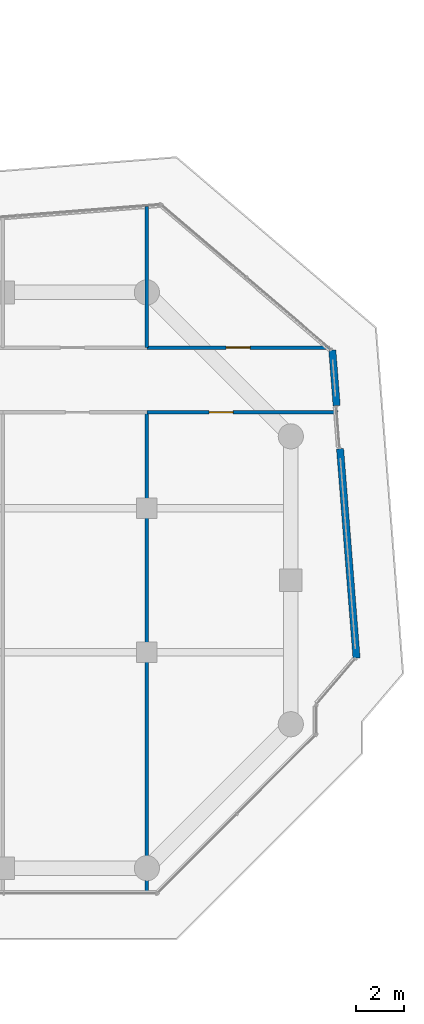
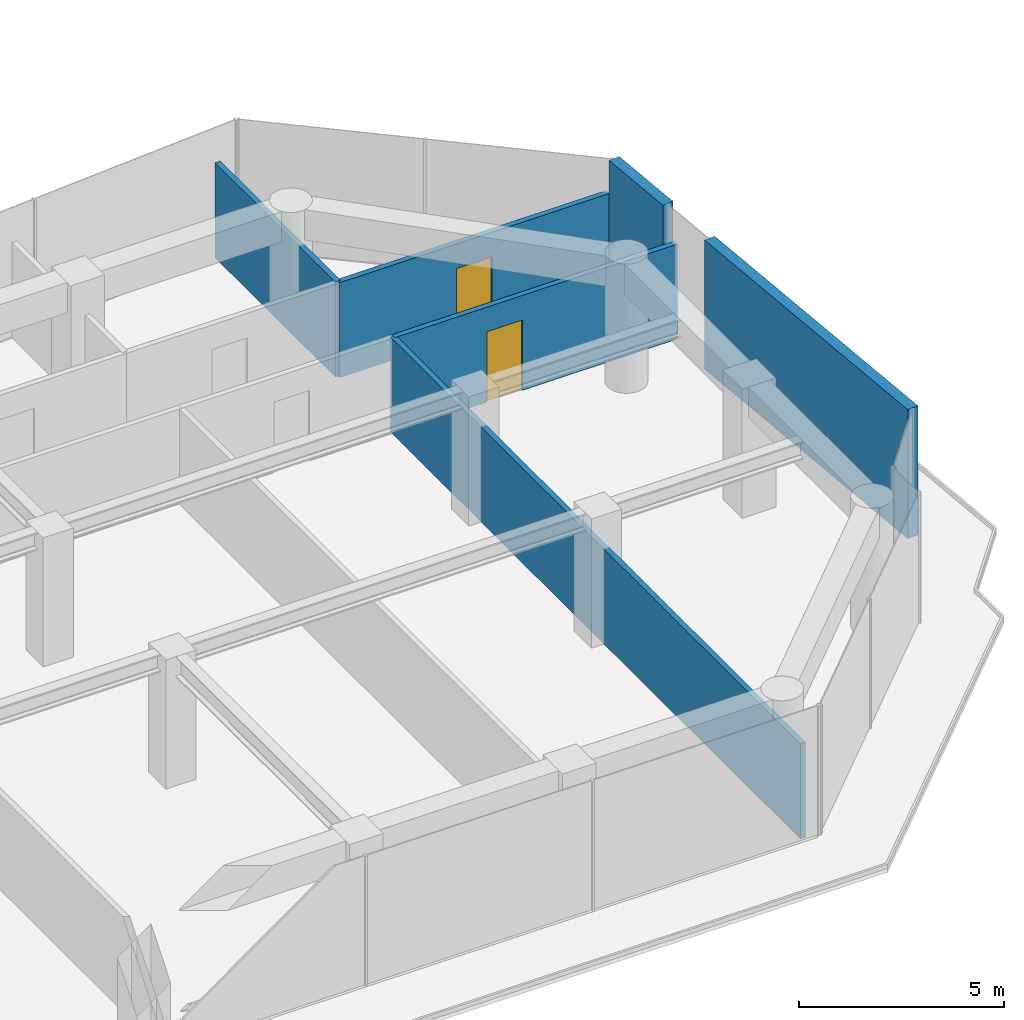
# One storey, part 25 of 28: 6 walls, 2 doors, 2 openings.
"""IFC4 building model written with IfcOpenShell, lengths in metres."""

from ifc_helpers import new_model, si_unit, direction, frame, frame_2d, origin, place, context, subcontext, project, spatial, rectangle, extrude, material, layer, layer_set, type_object, element, fill, save


model = new_model("IFC4")

# Units and contexts
model_context = context("Model", 3, precision=1e-05, world=origin(), true_north=direction((0.0, 1.0)))
body_context = subcontext(model_context, "Body", "Model", "MODEL_VIEW")
ifc_project = project(units=[si_unit("LENGTHUNIT", "METRE"), si_unit("AREAUNIT", "SQUARE_METRE"), si_unit("VOLUMEUNIT", "CUBIC_METRE"), si_unit("PLANEANGLEUNIT", "RADIAN"), si_unit("MASSUNIT", "GRAM", prefix="KILO")], contexts=[model_context])

# Site, building, storey
site_placement = place(None, origin())
site = spatial("IfcSite", under=ifc_project, at=site_placement, CompositionType="ELEMENT")
building_placement = place(site_placement, origin())
building = spatial("IfcBuilding", under=site, at=building_placement, Name="Welwitschia Terrace Campus", CompositionType="ELEMENT")
storey_placement = place(building_placement, frame((0.0, 0.0, 71.0)))
storey = spatial("IfcBuildingStorey", under=building, at=storey_placement, Name="L16", CompositionType="ELEMENT", Elevation=71.0)

# Walls
ifc_material_1 = material(Name="Gypsum board on steel studs", Category="steel")
ifc_layer_1 = layer(ifc_material_1, 0.14990234375)
ifc_layer_set_1 = layer_set([ifc_layer_1], Name="Gypsum board on steel studs")
wall_type_1 = type_object("IfcWallType", Name="Corridor partition 150 EI 30", PredefinedType="PARTITIONING", material=ifc_layer_set_1)
wall_1_placement = place(storey_placement, frame((60.0, -5.010009765625, 0.0), z_axis=(0.0, 0.0, 1.0), x_axis=(0.0, 1.0, 0.0)))
element("IfcWall", 1, at=wall_1_placement, inside=storey, type_object=wall_type_1, Name="Partition", PredefinedType="PARTITIONING", context=body_context, shape_type="SweptSolid", body=[
    extrude(rectangle(XDim=20.010009765625, YDim=0.14990234375, at=frame_2d((10.0048828125, 0.0))), origin(), (0.0, 0.0, 1.0), 2.830078125),
])
wall_2_placement = place(storey_placement, frame((60.0, 17.699951171875, 0.0), z_axis=(0.0, 0.0, 1.0), x_axis=(0.0, 1.0, 0.0)))
element("IfcWall", 2, at=wall_2_placement, inside=storey, type_object=wall_type_1, Name="Partition", PredefinedType="PARTITIONING", context=body_context, shape_type="SweptSolid", body=[
    extrude(rectangle(XDim=5.8701171875, YDim=0.14990234375, at=frame_2d((2.93505859375, 0.0))), origin(), (0.0, 0.0, 1.0), 2.830078125),
])

# Wall, opening, door
wall_3_placement = place(storey_placement, frame((60.0, 17.699951171875, 0.0), z_axis=(0.0, 0.0, 1.0), x_axis=(1.0, 0.0, 0.0)))
wall_3 = element("IfcWall", 3, at=wall_3_placement, inside=storey, type_object=wall_type_1, Name="Partition", PredefinedType="PARTITIONING", context=body_context, shape_type="SweptSolid", body=[
    extrude(rectangle(XDim=7.6201171875, YDim=0.14990234375, at=frame_2d((3.81005859375, 0.0))), origin(), (0.0, 0.0, 1.0), 2.830078125),
])
opening_1_placement = place(wall_3_placement, frame((3.300048828125, 0.0, 0.0)))
opening_1 = element("IfcOpeningElement", 4, at=opening_1_placement, cuts=wall_3, Name="Opening DI10", PredefinedType="OPENING", context=body_context, shape_type="SweptSolid", body=[
    extrude(rectangle(XDim=1.0, YDim=2.10009765625, at=frame_2d((0.5, 1.050048828125))), frame((0.0, 0.0849609375, 0.0), z_axis=(0.0, -1.0, 0.0), x_axis=(1.0, 0.0, 0.0)), (0.0, 0.0, 1.0), 0.169921875),
])
ifc_material_2 = material(Name="Timber veneered door", Category="wood")
door_type = type_object("IfcDoorType", Name="Interior door DI10", OperationType="NOTDEFINED", PredefinedType="DOOR", material=ifc_material_2)
door_1_placement = place(opening_1_placement, origin())
door_1 = element("IfcDoor", 5, at=door_1_placement, inside=storey, type_object=door_type, Name="Door L16 382", OperationType="SINGLE_SWING_LEFT", OverallHeight=2.10009765625, OverallWidth=1.0, PredefinedType="DOOR", context=body_context, shape_type="SweptSolid", body=[
    extrude(rectangle(XDim=1.0, YDim=2.10009765625, at=frame_2d((0.5, 1.050048828125))), frame((0.0, 0.02490234375, 0.0), z_axis=(0.0, -1.0, 0.0), x_axis=(1.0, 0.0, 0.0)), (0.0, 0.0, 1.0), 0.050048828125),
])
fill(opening_1, door_1)

wall_4_placement = place(storey_placement, frame((67.971923828125, 15.0, 0.0), z_axis=(0.0, 0.0, 1.0), x_axis=(-1.0, 0.0, 0.0)))
wall_4 = element("IfcWall", 6, at=wall_4_placement, inside=storey, type_object=wall_type_1, Name="Partition", PredefinedType="PARTITIONING", context=body_context, shape_type="SweptSolid", body=[
    extrude(rectangle(XDim=7.971923828125, YDim=0.14990234375, at=frame_2d((3.98583984375, 0.0))), origin(), (0.0, 0.0, 1.0), 2.830078125),
])
opening_2_placement = place(wall_4_placement, frame((4.3720703125, 0.0, 0.0)))
opening_2 = element("IfcOpeningElement", 7, at=opening_2_placement, cuts=wall_4, Name="Opening DI10", PredefinedType="OPENING", context=body_context, shape_type="SweptSolid", body=[
    extrude(rectangle(XDim=1.0, YDim=2.10009765625, at=frame_2d((0.5, 1.050048828125))), frame((0.0, 0.0849609375, 0.0), z_axis=(0.0, -1.0, 0.0), x_axis=(1.0, 0.0, 0.0)), (0.0, 0.0, 1.0), 0.169921875),
])
door_2_placement = place(opening_2_placement, origin())
door_2 = element("IfcDoor", 8, at=door_2_placement, inside=storey, type_object=door_type, Name="Door L16 383", OperationType="SINGLE_SWING_RIGHT", OverallHeight=2.10009765625, OverallWidth=1.0, PredefinedType="DOOR", context=body_context, shape_type="SweptSolid", body=[
    extrude(rectangle(XDim=1.0, YDim=2.10009765625, at=frame_2d((0.5, 1.050048828125))), frame((0.0, 0.02490234375, 0.0), z_axis=(0.0, -1.0, 0.0), x_axis=(1.0, 0.0, 0.0)), (0.0, 0.0, 1.0), 0.050048828125),
])
fill(opening_2, door_2)

# Walls
ifc_material_3 = material(Name="Concrete C40/50", Category="concrete")
ifc_layer_2 = layer(ifc_material_3, 0.300048828125)
ifc_layer_set_2 = layer_set([ifc_layer_2], Name="Concrete C40/50")
wall_type_2 = type_object("IfcWallType", Name="Mass wall 300", PredefinedType="SOLIDWALL", material=ifc_layer_set_2)
wall_5_placement = place(storey_placement, frame((68.739013671875, 4.75537109375, 0.0), z_axis=(0.0, 0.0, 1.0), x_axis=(-0.07845094055, 0.996917975526, 0.0)))
element("IfcWall", 9, at=wall_5_placement, inside=storey, type_object=wall_type_2, Name="Mass wall L16.9.0", PredefinedType="SOLIDWALL", context=body_context, shape_type="SweptSolid", body=[
    extrude(rectangle(XDim=8.75732421875, YDim=0.300048828125, at=frame_2d((4.378662109375, 0.0))), origin(), (0.0, 0.0, 1.0), 3.85009765625),
])
wall_6_placement = place(storey_placement, frame((67.91064453125, 15.280029296875, 0.0), z_axis=(0.0, 0.0, 1.0), x_axis=(-0.078427168451, 0.99691984595, 0.0)))
element("IfcWall", 10, at=wall_6_placement, inside=storey, type_object=wall_type_2, Name="Mass wall L16.9.1", PredefinedType="SOLIDWALL", context=body_context, shape_type="SweptSolid", body=[
    extrude(rectangle(XDim=2.319091796875, YDim=0.300048828125, at=frame_2d((1.15966796875, 0.0))), origin(), (0.0, 0.0, 1.0), 3.85009765625),
])

save(model, "model.ifc")
